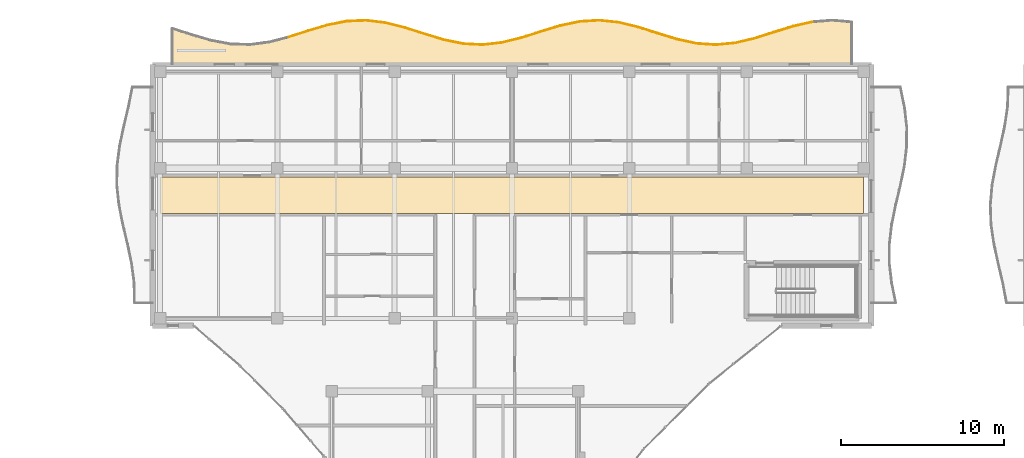
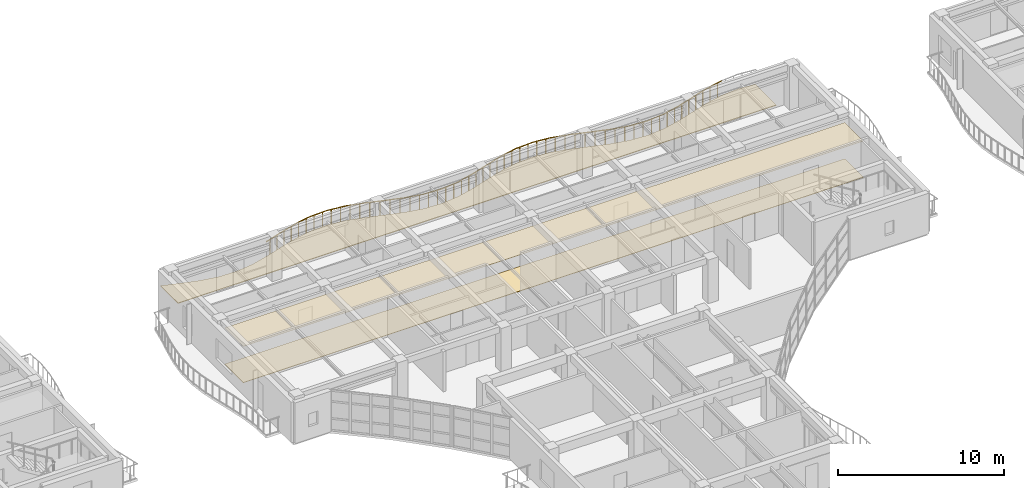
# One storey, part 82 of 89: 27 railings, 3 coverings.
"""IFC4 building model written with IfcOpenShell, lengths in metres."""

from ifc_helpers import new_model, si_unit, direction, frame, origin, origin_2d, place, context, subcontext, project, spatial, polyline, circle, outline, extrude, material, layer, layer_set, type_object, element, save


model = new_model("IFC4")

# Units and contexts
model_context = context("Model", 3, precision=1e-05, world=origin(), true_north=direction((0.0, 1.0)))
body_context = subcontext(model_context, "Body", "Model", "MODEL_VIEW")
ifc_project = project(units=[si_unit("LENGTHUNIT", "METRE"), si_unit("AREAUNIT", "SQUARE_METRE"), si_unit("VOLUMEUNIT", "CUBIC_METRE"), si_unit("PLANEANGLEUNIT", "RADIAN"), si_unit("MASSUNIT", "GRAM", prefix="KILO")], contexts=[model_context])

# Site, building, storey
site_placement = place(None, origin())
site = spatial("IfcSite", under=ifc_project, at=site_placement, CompositionType="ELEMENT")
building_placement = place(site_placement, origin())
building = spatial("IfcBuilding", under=site, at=building_placement, Name="Keldmere Railside Commons", CompositionType="ELEMENT")
storey_placement = place(building_placement, frame((0.0, 0.0, 7.360107421875)))
storey = spatial("IfcBuildingStorey", under=building, at=storey_placement, Name="L02", CompositionType="ELEMENT", Elevation=7.360107421875)

# Railings
ifc_material_1 = material(Name="Steel F-24 (S235)", Category="steel")
railing_type = type_object("IfcRailingType", Name="Balcony & Terrace Steel Balustrade 1100", PredefinedType="BALUSTRADE", material=ifc_material_1)
railing_1_placement = place(storey_placement, frame((101.831298828125, 117.677734375, 0.0)))
element("IfcRailing", 1, at=railing_1_placement, inside=storey, type_object=railing_type, Name="GR-1 GRD-L02-1982", PredefinedType="BALUSTRADE", context=body_context, shape_type="SweptSolid", body=[
    extrude(circle(Radius=0.02392578125, at=origin_2d()), frame((0.0, 0.0, 1.076171875), z_axis=(0.95203059567, 0.306002851145, 0.0), x_axis=(-0.306002851145, 0.95203059567, 0.0)), (0.0, 0.0, 1.0), 1.24853515625),
    extrude(circle(Radius=0.02099609375, at=origin_2d()), frame((0.297119140625, 0.095458984375, 0.0)), (0.0, 0.0, 1.0), 1.048095703125),
    extrude(circle(Radius=0.02099609375, at=origin_2d()), frame((0.8916015625, 0.28662109375, 0.0)), (0.0, 0.0, 1.0), 1.048095703125),
])
railing_2_placement = place(storey_placement, frame((103.02001953125, 118.059814453125, 0.0)))
element("IfcRailing", 2, at=railing_2_placement, inside=storey, type_object=railing_type, Name="GR-1 GRD-L02-1983", PredefinedType="BALUSTRADE", context=body_context, shape_type="SweptSolid", body=[
    extrude(circle(Radius=0.02392578125, at=origin_2d()), frame((0.0, 0.0, 1.076171875), z_axis=(0.958549438436, 0.284926260768, 0.0), x_axis=(-0.284926260768, 0.958549438436, 0.0)), (0.0, 0.0, 1.0), 1.239990234375),
    extrude(circle(Radius=0.02099609375, at=origin_2d()), frame((0.297119140625, 0.08837890625, 0.0)), (0.0, 0.0, 1.0), 1.048095703125),
    extrude(circle(Radius=0.02099609375, at=origin_2d()), frame((0.891357421875, 0.264892578125, 0.0)), (0.0, 0.0, 1.0), 1.048095703125),
])
railing_3_placement = place(storey_placement, frame((104.20849609375, 118.4130859375, 0.0)))
element("IfcRailing", 3, at=railing_3_placement, inside=storey, type_object=railing_type, Name="GR-1 GRD-L02-1984", PredefinedType="BALUSTRADE", context=body_context, shape_type="SweptSolid", body=[
    extrude(circle(Radius=0.02392578125, at=origin_2d()), frame((0.0, 0.0, 1.076171875), z_axis=(0.981530310811, 0.191306688223, 0.0), x_axis=(-0.191306688223, 0.981530310811, 0.0)), (0.0, 0.0, 1.0), 1.211181640625),
    extrude(circle(Radius=0.02099609375, at=origin_2d()), frame((0.297119140625, 0.057861328125, 0.0)), (0.0, 0.0, 1.0), 1.048095703125),
    extrude(circle(Radius=0.02099609375, at=origin_2d()), frame((0.8916015625, 0.173828125, 0.0)), (0.0, 0.0, 1.0), 1.048095703125),
])
railing_4_placement = place(storey_placement, frame((105.397216796875, 118.644775390625, 0.0)))
element("IfcRailing", 4, at=railing_4_placement, inside=storey, type_object=railing_type, Name="GR-1 GRD-L02-1985", PredefinedType="BALUSTRADE", context=body_context, shape_type="SweptSolid", body=[
    extrude(circle(Radius=0.02392578125, at=origin_2d()), frame((0.0, 0.0, 1.076171875), z_axis=(0.999157093347, 0.041050003835, 0.0), x_axis=(-0.041050003835, 0.999157093347, 0.0)), (0.0, 0.0, 1.0), 1.189453125),
    extrude(circle(Radius=0.02099609375, at=origin_2d()), frame((0.297119140625, 0.01220703125, 0.0)), (0.0, 0.0, 1.0), 1.048095703125),
    extrude(circle(Radius=0.02099609375, at=origin_2d()), frame((0.891357421875, 0.03662109375, 0.0)), (0.0, 0.0, 1.0), 1.048095703125),
])
railing_5_placement = place(storey_placement, frame((106.585693359375, 118.693603515625, 0.0)))
element("IfcRailing", 5, at=railing_5_placement, inside=storey, type_object=railing_type, Name="GR-1 GRD-L02-1986", PredefinedType="BALUSTRADE", context=body_context, shape_type="SweptSolid", body=[
    extrude(circle(Radius=0.02392578125, at=origin_2d()), frame((0.0, 0.0, 1.076171875), z_axis=(0.992443184922, -0.122705031284, 0.0), x_axis=(0.122705031284, 0.992443184922, 0.0)), (0.0, 0.0, 1.0), 1.19775390625),
    extrude(circle(Radius=0.02099609375, at=origin_2d()), frame((0.297119140625, -0.03662109375, 0.0)), (0.0, 0.0, 1.0), 1.048095703125),
    extrude(circle(Radius=0.02099609375, at=origin_2d()), frame((0.8916015625, -0.1103515625, 0.0)), (0.0, 0.0, 1.0), 1.048095703125),
])
railing_6_placement = place(storey_placement, frame((107.7744140625, 118.546630859375, 0.0)))
element("IfcRailing", 6, at=railing_6_placement, inside=storey, type_object=railing_type, Name="GR-1 GRD-L02-1987", PredefinedType="BALUSTRADE", context=body_context, shape_type="SweptSolid", body=[
    extrude(circle(Radius=0.02392578125, at=origin_2d()), frame((0.0, 0.0, 1.076171875), z_axis=(0.96886490785, -0.247589964126, 0.0), x_axis=(0.247589964126, 0.96886490785, 0.0)), (0.0, 0.0, 1.0), 1.2265625),
    extrude(circle(Radius=0.02099609375, at=origin_2d()), frame((0.297119140625, -0.075927734375, 0.0)), (0.0, 0.0, 1.0), 1.048095703125),
    extrude(circle(Radius=0.02099609375, at=origin_2d()), frame((0.891357421875, -0.227783203125, 0.0)), (0.0, 0.0, 1.0), 1.048095703125),
])
railing_7_placement = place(storey_placement, frame((108.962890625, 118.242919921875, 0.0)))
element("IfcRailing", 7, at=railing_7_placement, inside=storey, type_object=railing_type, Name="GR-1 GRD-L02-1988", PredefinedType="BALUSTRADE", context=body_context, shape_type="SweptSolid", body=[
    extrude(circle(Radius=0.02392578125, at=origin_2d()), frame((0.0, 0.0, 1.076171875), z_axis=(0.952353704349, -0.304995773435, 0.0), x_axis=(0.304995773435, 0.952353704349, 0.0)), (0.0, 0.0, 1.0), 1.248046875),
    extrude(circle(Radius=0.02099609375, at=origin_2d()), frame((0.297119140625, -0.09521484375, 0.0)), (0.0, 0.0, 1.0), 1.048095703125),
    extrude(circle(Radius=0.02099609375, at=origin_2d()), frame((0.891357421875, -0.285400390625, 0.0)), (0.0, 0.0, 1.0), 1.048095703125),
])
railing_8_placement = place(storey_placement, frame((110.1513671875, 117.8623046875, 0.0)))
element("IfcRailing", 8, at=railing_8_placement, inside=storey, type_object=railing_type, Name="GR-1 GRD-L02-1989", PredefinedType="BALUSTRADE", context=body_context, shape_type="SweptSolid", body=[
    extrude(circle(Radius=0.02392578125, at=origin_2d()), frame((0.0, 0.0, 1.076171875), z_axis=(0.957593213054, -0.288123651083, 0.0), x_axis=(0.288123651083, 0.957593213054, 0.0)), (0.0, 0.0, 1.0), 1.241455078125),
    extrude(circle(Radius=0.02099609375, at=origin_2d()), frame((0.297119140625, -0.08935546875, 0.0)), (0.0, 0.0, 1.0), 1.048095703125),
    extrude(circle(Radius=0.02099609375, at=origin_2d()), frame((0.8916015625, -0.268310546875, 0.0)), (0.0, 0.0, 1.0), 1.048095703125),
])
railing_9_placement = place(storey_placement, frame((111.340087890625, 117.504638671875, 0.0)))
element("IfcRailing", 9, at=railing_9_placement, inside=storey, type_object=railing_type, Name="GR-1 GRD-L02-1990", PredefinedType="BALUSTRADE", context=body_context, shape_type="SweptSolid", body=[
    extrude(circle(Radius=0.02392578125, at=origin_2d()), frame((0.0, 0.0, 1.076171875), z_axis=(0.980136786586, -0.198322665322, 0.0), x_axis=(0.198322665322, 0.980136786586, 0.0)), (0.0, 0.0, 1.0), 1.212646484375),
    extrude(circle(Radius=0.02099609375, at=origin_2d()), frame((0.297119140625, -0.06005859375, 0.0)), (0.0, 0.0, 1.0), 1.048095703125),
    extrude(circle(Radius=0.02099609375, at=origin_2d()), frame((0.891357421875, -0.180419921875, 0.0)), (0.0, 0.0, 1.0), 1.048095703125),
])
railing_10_placement = place(storey_placement, frame((112.528564453125, 117.26416015625, 0.0)))
element("IfcRailing", 10, at=railing_10_placement, inside=storey, type_object=railing_type, Name="GR-1 GRD-L02-1991", PredefinedType="BALUSTRADE", context=body_context, shape_type="SweptSolid", body=[
    extrude(circle(Radius=0.02392578125, at=origin_2d()), frame((0.0, 0.0, 1.076171875), z_axis=(0.998715230579, -0.05067433483, 0.0), x_axis=(0.05067433483, 0.998715230579, 0.0)), (0.0, 0.0, 1.0), 1.18994140625),
    extrude(circle(Radius=0.02099609375, at=origin_2d()), frame((0.297119140625, -0.01513671875, 0.0)), (0.0, 0.0, 1.0), 1.048095703125),
    extrude(circle(Radius=0.02099609375, at=origin_2d()), frame((0.891357421875, -0.045166015625, 0.0)), (0.0, 0.0, 1.0), 1.048095703125),
])
railing_11_placement = place(storey_placement, frame((113.717041015625, 117.203857421875, 0.0)))
element("IfcRailing", 11, at=railing_11_placement, inside=storey, type_object=railing_type, Name="GR-1 GRD-L02-1992", PredefinedType="BALUSTRADE", context=body_context, shape_type="SweptSolid", body=[
    extrude(circle(Radius=0.02392578125, at=origin_2d()), frame((0.0, 0.0, 1.076171875), z_axis=(0.993497109305, 0.113857339699, 0.0), x_axis=(-0.113857339699, 0.993497109305, 0.0)), (0.0, 0.0, 1.0), 1.196533203125),
    extrude(circle(Radius=0.02099609375, at=origin_2d()), frame((0.297119140625, 0.0341796875, 0.0)), (0.0, 0.0, 1.0), 1.048095703125),
    extrude(circle(Radius=0.02099609375, at=origin_2d()), frame((0.8916015625, 0.10205078125, 0.0)), (0.0, 0.0, 1.0), 1.048095703125),
])
railing_12_placement = place(storey_placement, frame((114.90576171875, 117.340087890625, 0.0)))
element("IfcRailing", 12, at=railing_12_placement, inside=storey, type_object=railing_type, Name="GR-1 GRD-L02-1993", PredefinedType="BALUSTRADE", context=body_context, shape_type="SweptSolid", body=[
    extrude(circle(Radius=0.02392578125, at=origin_2d()), frame((0.0, 0.0, 1.076171875), z_axis=(0.970283032405, 0.241972802247, 0.0), x_axis=(-0.241972802247, 0.970283032405, 0.0)), (0.0, 0.0, 1.0), 1.224853515625),
    extrude(circle(Radius=0.02099609375, at=origin_2d()), frame((0.297119140625, 0.07421875, 0.0)), (0.0, 0.0, 1.0), 1.048095703125),
    extrude(circle(Radius=0.02099609375, at=origin_2d()), frame((0.891357421875, 0.22216796875, 0.0)), (0.0, 0.0, 1.0), 1.048095703125),
])
railing_13_placement = place(storey_placement, frame((116.09423828125, 117.636474609375, 0.0)))
element("IfcRailing", 13, at=railing_13_placement, inside=storey, type_object=railing_type, Name="GR-1 GRD-L02-1994", PredefinedType="BALUSTRADE", context=body_context, shape_type="SweptSolid", body=[
    extrude(circle(Radius=0.02392578125, at=origin_2d()), frame((0.0, 0.0, 1.076171875), z_axis=(0.95276888788, 0.303696306016, 0.0), x_axis=(-0.303696306016, 0.95276888788, 0.0)), (0.0, 0.0, 1.0), 1.24755859375),
    extrude(circle(Radius=0.02099609375, at=origin_2d()), frame((0.297119140625, 0.0947265625, 0.0)), (0.0, 0.0, 1.0), 1.048095703125),
    extrude(circle(Radius=0.02099609375, at=origin_2d()), frame((0.8916015625, 0.2841796875, 0.0)), (0.0, 0.0, 1.0), 1.048095703125),
])
railing_14_placement = place(storey_placement, frame((117.282958984375, 118.015380859375, 0.0)))
element("IfcRailing", 14, at=railing_14_placement, inside=storey, type_object=railing_type, Name="GR-1 GRD-L02-1995", PredefinedType="BALUSTRADE", context=body_context, shape_type="SweptSolid", body=[
    extrude(circle(Radius=0.02392578125, at=origin_2d()), frame((0.0, 0.0, 1.076171875), z_axis=(0.956650077464, 0.291239814051, 0.0), x_axis=(-0.291239814051, 0.956650077464, 0.0)), (0.0, 0.0, 1.0), 1.242431640625),
    extrude(circle(Radius=0.02099609375, at=origin_2d()), frame((0.297119140625, 0.09033203125, 0.0)), (0.0, 0.0, 1.0), 1.048095703125),
    extrude(circle(Radius=0.02099609375, at=origin_2d()), frame((0.891357421875, 0.271484375, 0.0)), (0.0, 0.0, 1.0), 1.048095703125),
])
railing_15_placement = place(storey_placement, frame((118.471435546875, 118.377197265625, 0.0)))
element("IfcRailing", 15, at=railing_15_placement, inside=storey, type_object=railing_type, Name="GR-1 GRD-L02-1996", PredefinedType="BALUSTRADE", context=body_context, shape_type="SweptSolid", body=[
    extrude(circle(Radius=0.02392578125, at=origin_2d()), frame((0.0, 0.0, 1.076171875), z_axis=(0.978705224878, 0.205270754848, 0.0), x_axis=(-0.205270754848, 0.978705224878, 0.0)), (0.0, 0.0, 1.0), 1.21435546875),
    extrude(circle(Radius=0.02099609375, at=origin_2d()), frame((0.297119140625, 0.062255859375, 0.0)), (0.0, 0.0, 1.0), 1.048095703125),
    extrude(circle(Radius=0.02099609375, at=origin_2d()), frame((0.891357421875, 0.18701171875, 0.0)), (0.0, 0.0, 1.0), 1.048095703125),
])
railing_16_placement = place(storey_placement, frame((119.659912109375, 118.62646484375, 0.0)))
element("IfcRailing", 16, at=railing_16_placement, inside=storey, type_object=railing_type, Name="GR-1 GRD-L02-1997", PredefinedType="BALUSTRADE", context=body_context, shape_type="SweptSolid", body=[
    extrude(circle(Radius=0.02392578125, at=origin_2d()), frame((0.0, 0.0, 1.076171875), z_axis=(0.998194289431, 0.060067966072, 0.0), x_axis=(-0.060067966072, 0.998194289431, 0.0)), (0.0, 0.0, 1.0), 1.19091796875),
    extrude(circle(Radius=0.02099609375, at=origin_2d()), frame((0.297119140625, 0.017822265625, 0.0)), (0.0, 0.0, 1.0), 1.048095703125),
    extrude(circle(Radius=0.02099609375, at=origin_2d()), frame((0.8916015625, 0.0537109375, 0.0)), (0.0, 0.0, 1.0), 1.048095703125),
])
railing_17_placement = place(storey_placement, frame((120.8486328125, 118.697998046875, 0.0)))
element("IfcRailing", 17, at=railing_17_placement, inside=storey, type_object=railing_type, Name="GR-1 GRD-L02-1998", PredefinedType="BALUSTRADE", context=body_context, shape_type="SweptSolid", body=[
    extrude(circle(Radius=0.02392578125, at=origin_2d()), frame((0.0, 0.0, 1.076171875), z_axis=(0.994493132555, -0.104801761915, 0.0), x_axis=(0.104801761915, 0.994493132555, 0.0)), (0.0, 0.0, 1.0), 1.195068359375),
    extrude(circle(Radius=0.02099609375, at=origin_2d()), frame((0.297119140625, -0.03125, 0.0)), (0.0, 0.0, 1.0), 1.048095703125),
    extrude(circle(Radius=0.02099609375, at=origin_2d()), frame((0.891357421875, -0.093994140625, 0.0)), (0.0, 0.0, 1.0), 1.048095703125),
])
railing_18_placement = place(storey_placement, frame((122.037109375, 118.57275390625, 0.0)))
element("IfcRailing", 18, at=railing_18_placement, inside=storey, type_object=railing_type, Name="GR-1 GRD-L02-1999", PredefinedType="BALUSTRADE", context=body_context, shape_type="SweptSolid", body=[
    extrude(circle(Radius=0.02392578125, at=origin_2d()), frame((0.0, 0.0, 1.076171875), z_axis=(0.971672558635, -0.236331205716, 0.0), x_axis=(0.236331205716, 0.971672558635, 0.0)), (0.0, 0.0, 1.0), 1.22314453125),
    extrude(circle(Radius=0.02099609375, at=origin_2d()), frame((0.297119140625, -0.072265625, 0.0)), (0.0, 0.0, 1.0), 1.048095703125),
    extrude(circle(Radius=0.02099609375, at=origin_2d()), frame((0.891357421875, -0.216796875, 0.0)), (0.0, 0.0, 1.0), 1.048095703125),
])
railing_19_placement = place(storey_placement, frame((123.2255859375, 118.28369140625, 0.0)))
element("IfcRailing", 19, at=railing_19_placement, inside=storey, type_object=railing_type, Name="GR-1 GRD-L02-2000", PredefinedType="BALUSTRADE", context=body_context, shape_type="SweptSolid", body=[
    extrude(circle(Radius=0.02392578125, at=origin_2d()), frame((0.0, 0.0, 1.076171875), z_axis=(0.953277403036, -0.302096330434, 0.0), x_axis=(0.302096330434, 0.953277403036, 0.0)), (0.0, 0.0, 1.0), 1.2470703125),
    extrude(circle(Radius=0.02099609375, at=origin_2d()), frame((0.297119140625, -0.09423828125, 0.0)), (0.0, 0.0, 1.0), 1.048095703125),
    extrude(circle(Radius=0.02099609375, at=origin_2d()), frame((0.8916015625, -0.282470703125, 0.0)), (0.0, 0.0, 1.0), 1.048095703125),
])
railing_20_placement = place(storey_placement, frame((124.414306640625, 117.906982421875, 0.0)))
element("IfcRailing", 20, at=railing_20_placement, inside=storey, type_object=railing_type, Name="GR-1 GRD-L02-2001", PredefinedType="BALUSTRADE", context=body_context, shape_type="SweptSolid", body=[
    extrude(circle(Radius=0.02392578125, at=origin_2d()), frame((0.0, 0.0, 1.076171875), z_axis=(0.955825695833, -0.293934072856, 0.0), x_axis=(0.293934072856, 0.955825695833, 0.0)), (0.0, 0.0, 1.0), 1.243408203125),
    extrude(circle(Radius=0.02099609375, at=origin_2d()), frame((0.297119140625, -0.09130859375, 0.0)), (0.0, 0.0, 1.0), 1.048095703125),
    extrude(circle(Radius=0.02099609375, at=origin_2d()), frame((0.891357421875, -0.274169921875, 0.0)), (0.0, 0.0, 1.0), 1.048095703125),
])
railing_21_placement = place(storey_placement, frame((125.602783203125, 117.54150390625, 0.0)))
element("IfcRailing", 21, at=railing_21_placement, inside=storey, type_object=railing_type, Name="GR-1 GRD-L02-2002", PredefinedType="BALUSTRADE", context=body_context, shape_type="SweptSolid", body=[
    extrude(circle(Radius=0.02392578125, at=origin_2d()), frame((0.0, 0.0, 1.076171875), z_axis=(0.977237911363, -0.212146328263, 0.0), x_axis=(0.212146328263, 0.977237911363, 0.0)), (0.0, 0.0, 1.0), 1.21630859375),
    extrude(circle(Radius=0.02099609375, at=origin_2d()), frame((0.297119140625, -0.064453125, 0.0)), (0.0, 0.0, 1.0), 1.048095703125),
    extrude(circle(Radius=0.02099609375, at=origin_2d()), frame((0.8916015625, -0.193603515625, 0.0)), (0.0, 0.0, 1.0), 1.048095703125),
])
railing_22_placement = place(storey_placement, frame((126.79150390625, 117.283447265625, 0.0)))
element("IfcRailing", 22, at=railing_22_placement, inside=storey, type_object=railing_type, Name="GR-1 GRD-L02-2003", PredefinedType="BALUSTRADE", context=body_context, shape_type="SweptSolid", body=[
    extrude(circle(Radius=0.02392578125, at=origin_2d()), frame((0.0, 0.0, 1.076171875), z_axis=(0.997584026459, -0.069470210552, 0.0), x_axis=(0.069470210552, 0.997584026459, 0.0)), (0.0, 0.0, 1.0), 1.19140625),
    extrude(circle(Radius=0.02099609375, at=origin_2d()), frame((0.297119140625, -0.020751953125, 0.0)), (0.0, 0.0, 1.0), 1.048095703125),
    extrude(circle(Radius=0.02099609375, at=origin_2d()), frame((0.891357421875, -0.06201171875, 0.0)), (0.0, 0.0, 1.0), 1.048095703125),
])
railing_23_placement = place(storey_placement, frame((127.97998046875, 117.20068359375, 0.0)))
element("IfcRailing", 23, at=railing_23_placement, inside=storey, type_object=railing_type, Name="GR-1 GRD-L02-2004", PredefinedType="BALUSTRADE", context=body_context, shape_type="SweptSolid", body=[
    extrude(circle(Radius=0.02392578125, at=origin_2d()), frame((0.0, 0.0, 1.076171875), z_axis=(0.995412399588, 0.095677347095, 0.0), x_axis=(-0.095677347095, 0.995412399588, 0.0)), (0.0, 0.0, 1.0), 1.194091796875),
    extrude(circle(Radius=0.02099609375, at=origin_2d()), frame((0.297119140625, 0.028564453125, 0.0)), (0.0, 0.0, 1.0), 1.048095703125),
    extrude(circle(Radius=0.02099609375, at=origin_2d()), frame((0.8916015625, 0.085693359375, 0.0)), (0.0, 0.0, 1.0), 1.048095703125),
])
railing_24_placement = place(storey_placement, frame((129.168701171875, 117.31494140625, 0.0)))
element("IfcRailing", 24, at=railing_24_placement, inside=storey, type_object=railing_type, Name="GR-1 GRD-L02-2005", PredefinedType="BALUSTRADE", context=body_context, shape_type="SweptSolid", body=[
    extrude(circle(Radius=0.02392578125, at=origin_2d()), frame((0.0, 0.0, 1.076171875), z_axis=(0.973122741941, 0.230287058076, 0.0), x_axis=(-0.230287058076, 0.973122741941, 0.0)), (0.0, 0.0, 1.0), 1.22119140625),
    extrude(circle(Radius=0.02099609375, at=origin_2d()), frame((0.297119140625, 0.0703125, 0.0)), (0.0, 0.0, 1.0), 1.048095703125),
    extrude(circle(Radius=0.02099609375, at=origin_2d()), frame((0.891357421875, 0.2109375, 0.0)), (0.0, 0.0, 1.0), 1.048095703125),
])
railing_25_placement = place(storey_placement, frame((130.357177734375, 117.59619140625, 0.0)))
element("IfcRailing", 25, at=railing_25_placement, inside=storey, type_object=railing_type, Name="GR-1 GRD-L02-2006", PredefinedType="BALUSTRADE", context=body_context, shape_type="SweptSolid", body=[
    extrude(circle(Radius=0.02392578125, at=origin_2d()), frame((0.0, 0.0, 1.076171875), z_axis=(0.953766075683, 0.300549950718, 0.0), x_axis=(-0.300549950718, 0.953766075683, 0.0)), (0.0, 0.0, 1.0), 1.24609375),
    extrude(circle(Radius=0.02099609375, at=origin_2d()), frame((0.297119140625, 0.09375, 0.0)), (0.0, 0.0, 1.0), 1.048095703125),
    extrude(circle(Radius=0.02099609375, at=origin_2d()), frame((0.891357421875, 0.28076171875, 0.0)), (0.0, 0.0, 1.0), 1.048095703125),
])
railing_26_placement = place(storey_placement, frame((131.545654296875, 117.970703125, 0.0)))
element("IfcRailing", 26, at=railing_26_placement, inside=storey, type_object=railing_type, Name="GR-1 GRD-L02-2007", PredefinedType="BALUSTRADE", context=body_context, shape_type="SweptSolid", body=[
    extrude(circle(Radius=0.02392578125, at=origin_2d()), frame((0.0, 0.0, 1.076171875), z_axis=(0.955067966179, 0.296386875518, 0.0), x_axis=(-0.296386875518, 0.955067966179, 0.0)), (0.0, 0.0, 1.0), 1.24462890625),
    extrude(circle(Radius=0.02099609375, at=origin_2d()), frame((0.297119140625, 0.09228515625, 0.0)), (0.0, 0.0, 1.0), 1.048095703125),
    extrude(circle(Radius=0.02099609375, at=origin_2d()), frame((0.8916015625, 0.276611328125, 0.0)), (0.0, 0.0, 1.0), 1.048095703125),
])
railing_27_placement = place(storey_placement, frame((132.734375, 118.339599609375, 0.0)))
element("IfcRailing", 27, at=railing_27_placement, inside=storey, type_object=railing_type, Name="GR-1 GRD-L02-2008", PredefinedType="BALUSTRADE", context=body_context, shape_type="SweptSolid", body=[
    extrude(circle(Radius=0.02392578125, at=origin_2d()), frame((0.0, 0.0, 1.076171875), z_axis=(0.975794002277, 0.218691712507, 0.0), x_axis=(-0.218691712507, 0.975794002277, 0.0)), (0.0, 0.0, 1.0), 1.218017578125),
    extrude(circle(Radius=0.02099609375, at=origin_2d()), frame((0.297119140625, 0.066650390625, 0.0)), (0.0, 0.0, 1.0), 1.048095703125),
    extrude(circle(Radius=0.02099609375, at=origin_2d()), frame((0.891357421875, 0.19970703125, 0.0)), (0.0, 0.0, 1.0), 1.048095703125),
])

# Coverings
ifc_material_2 = material(Name="Polished Terrazzo Tile Flooring", Category="concrete")
ifc_layer_1 = layer(ifc_material_2, 0.030029296875, Name="Polished Terrazzo Floor Finish 30")
ifc_layer_set_1 = layer_set([ifc_layer_1], Name="Polished Terrazzo Tile Flooring")
covering_type_1 = type_object("IfcCoveringType", Name="Polished Terrazzo Floor Finish 30", PredefinedType="FLOORING", material=ifc_layer_set_1)
covering_1_placement = place(storey_placement, origin())
element("IfcCovering", 28, at=covering_1_placement, inside=storey, type_object=covering_type_1, Name="FLR-1 Corridor Terrazzo B-L02", PredefinedType="FLOORING", context=body_context, shape_type="SweptSolid", body=[
    extrude(outline(polyline([(93.97998046875, 106.8798828125), (137.02001953125, 106.8798828125), (137.02001953125, 109.1201171875), (93.97998046875, 109.1201171875), (93.97998046875, 106.8798828125)])), origin(), (0.0, 0.0, 1.0), 0.02978515625),
])
ifc_material_3 = material(Name="Acoustic Mineral-Fibre Gypsum Ceiling", Category="gypsum")
ifc_layer_2 = layer(ifc_material_3, 0.02490234375, Name="Suspended Acoustic Ceiling 25")
ifc_layer_set_2 = layer_set([ifc_layer_2], Name="Acoustic Mineral-Fibre Gypsum Ceiling")
covering_type_2 = type_object("IfcCoveringType", Name="Suspended Acoustic Ceiling 25", PredefinedType="CEILING", material=ifc_layer_set_2)
covering_2_placement = place(storey_placement, frame((0.0, 0.0, 2.664794921875)))
element("IfcCovering", 29, at=covering_2_placement, inside=storey, type_object=covering_type_2, Name="CLG-1 Corridor Ceiling B-L02", PredefinedType="CEILING", context=body_context, shape_type="SweptSolid", body=[
    extrude(outline(polyline([(93.97998046875, 106.8798828125), (137.02001953125, 106.8798828125), (137.02001953125, 109.1201171875), (93.97998046875, 109.1201171875), (93.97998046875, 106.8798828125)])), origin(), (0.0, 0.0, 1.0), 0.025146484375),
])
ifc_material_4 = material(Name="White Precast Concrete C35/45", Category="concrete")
ifc_layer_3 = layer(ifc_material_4, 0.044921875, Name="White Architectural Balcony Ribbon Cladding 45")
ifc_layer_set_3 = layer_set([ifc_layer_3], Name="White Precast Concrete C35/45")
covering_type_3 = type_object("IfcCoveringType", Name="White Architectural Balcony Ribbon Cladding 45", PredefinedType="FLOORING", material=ifc_layer_set_3)
covering_3_placement = place(storey_placement, origin())
element("IfcCovering", 30, at=covering_3_placement, inside=storey, type_object=covering_type_3, Name="CLG-WB B L02 N White Balcony Ribbon", PredefinedType="FLOORING", context=body_context, shape_type="SweptSolid", body=[
    extrude(outline(polyline([(136.260009765625, 116.0400390625), (136.260009765625, 118.56005859375), (135.111083984375, 118.659912109375), (133.928955078125, 118.56640625), (132.74462890625, 118.30078125), (131.5576171875, 117.932373046875), (130.369140625, 117.55810546875), (130.3662109375, 117.557373046875), (129.177734375, 117.276123046875), (129.17236328125, 117.275146484375), (127.98388671875, 117.160888671875), (127.98046875, 117.16064453125), (127.977294921875, 117.160888671875), (126.78857421875, 117.24365234375), (126.782958984375, 117.244384765625), (125.594482421875, 117.50244140625), (125.591064453125, 117.50341796875), (124.402587890625, 117.868896484375), (124.402099609375, 117.868896484375), (123.21484375, 118.245361328125), (122.0302734375, 118.533203125), (120.84765625, 118.657958984375), (119.665283203125, 118.586669921875), (118.481201171875, 118.33837890625), (117.294921875, 117.977294921875), (116.1064453125, 117.598388671875), (116.10400390625, 117.59765625), (114.915283203125, 117.30126953125), (114.910400390625, 117.30029296875), (113.7216796875, 117.164306640625), (113.718505859375, 117.163818359375), (113.715087890625, 117.1640625), (112.526611328125, 117.22412109375), (112.523681640625, 117.224365234375), (112.520751953125, 117.224853515625), (111.33203125, 117.46533203125), (111.32861328125, 117.46630859375), (110.139892578125, 117.823974609375), (110.13916015625, 117.82421875), (108.951904296875, 118.20458984375), (107.766845703125, 118.50732421875), (106.583984375, 118.6533203125), (105.40185546875, 118.60498046875), (104.218017578125, 118.374267578125), (103.03173828125, 118.021728515625), (101.843505859375, 117.6396484375), (101.841552734375, 117.638916015625), (100.653076171875, 117.328369140625), (100.648193359375, 117.327392578125), (99.45947265625, 117.170166015625), (99.456298828125, 117.169921875), (99.452880859375, 117.169921875), (98.264404296875, 117.207275390625), (98.261474609375, 117.20751953125), (98.25830078125, 117.2080078125), (97.069580078125, 117.43017578125), (97.06591796875, 117.430908203125), (95.877197265625, 117.779541015625), (95.876220703125, 117.77978515625), (94.739990234375, 118.146240234375), (94.739990234375, 116.0400390625), (136.260009765625, 116.0400390625)])), origin(), (0.0, 0.0, 1.0), 0.044921875),
])

save(model, "model.ifc")
